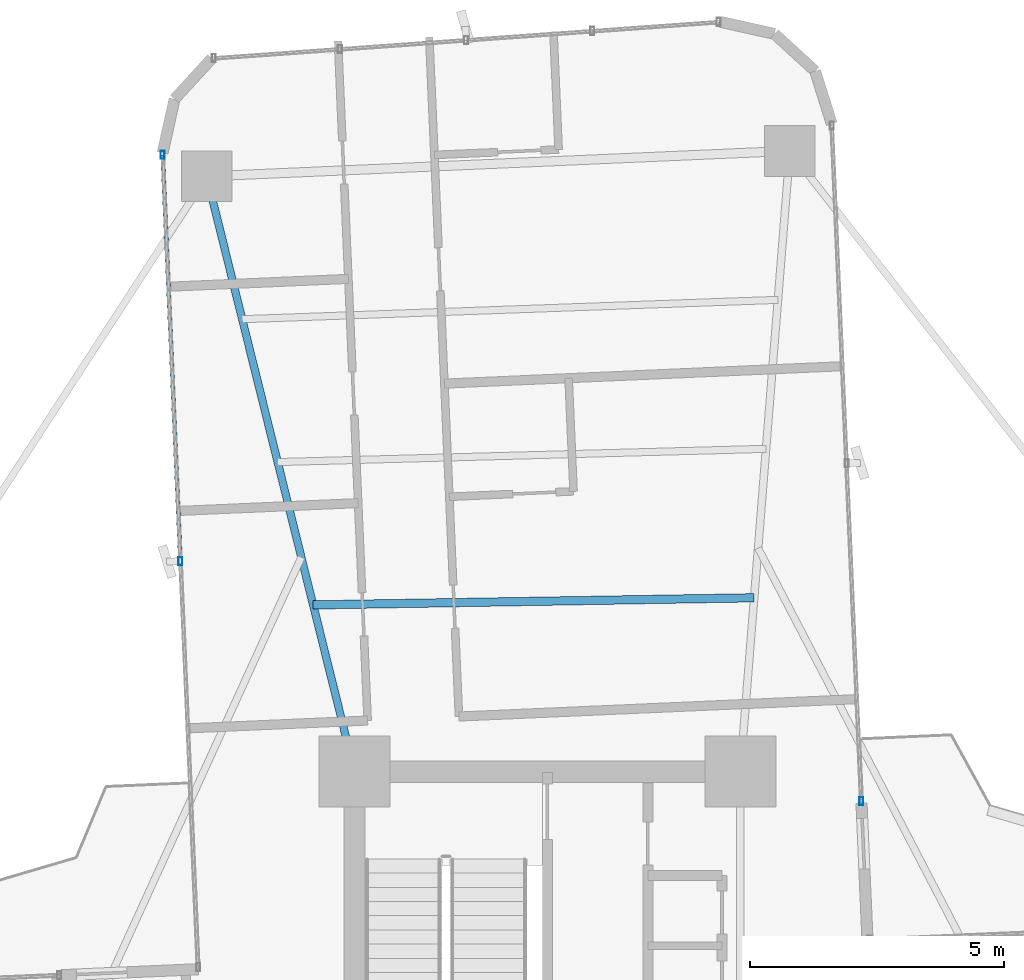
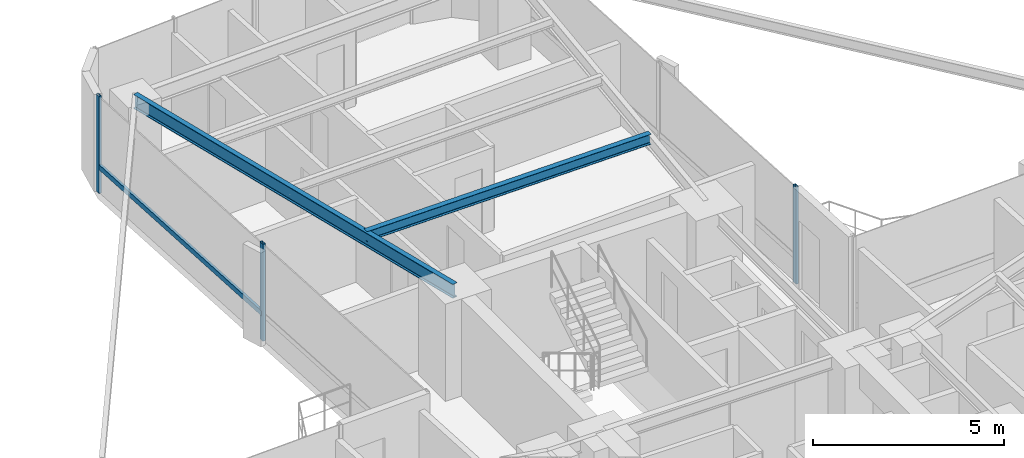
# One storey, part 17 of 26: 4 members, 2 beams, 2 elements without a shape of their own.
"""IFC4 building model written with IfcOpenShell, lengths in metres."""

from ifc_helpers import new_model, si_unit, direction, frame, origin, origin_2d, place, context, subcontext, project, spatial, hollow_rectangle, i_section, extrude, source, transform, mapped, material, material_profile, profile_set, type_object, element, aggregate, save


model = new_model("IFC4")

# Units and contexts
model_context = context("Model", 3, precision=1e-05, world=origin(), true_north=direction((0.0, 1.0)))
body_context = subcontext(model_context, "Body", "Model", "MODEL_VIEW")
ifc_project = project(units=[si_unit("LENGTHUNIT", "METRE"), si_unit("AREAUNIT", "SQUARE_METRE"), si_unit("VOLUMEUNIT", "CUBIC_METRE"), si_unit("PLANEANGLEUNIT", "RADIAN"), si_unit("MASSUNIT", "GRAM", prefix="KILO")], contexts=[model_context])

# Site, building, storey
site_placement = place(None, origin())
site = spatial("IfcSite", under=ifc_project, at=site_placement, CompositionType="ELEMENT")
building_placement = place(site_placement, origin())
building = spatial("IfcBuilding", under=site, at=building_placement, Name="Sahyath Konkavel Grand Hotel", CompositionType="ELEMENT")
storey_placement = place(building_placement, frame((0.0, 0.0, 131.550048828125)))
storey = spatial("IfcBuildingStorey", under=building, at=storey_placement, Name="L36", CompositionType="ELEMENT", Elevation=131.550048828125)

# Beams
ifc_material_1 = material(Name="Steel E350", Category="steel")
ifc_material_profile_1 = material_profile(ifc_material_1, i_section(OverallWidth=0.14990234375, OverallDepth=0.449951171875, WebThickness=0.009521484375, FlangeThickness=0.017333984375, FilletRadius=0.014892578125, at=origin_2d()), Name="ISMB 450")
ifc_profile_set_1 = profile_set([ifc_material_profile_1], Name="Steel E350")
beam_type_1 = type_object("IfcBeamType", Name="BM-ISMB450", PredefinedType="BEAM", material=ifc_profile_set_1)
shared_shape_1 = source(origin(), body_context, "Body", "SweptSolid", [
    extrude(i_section(OverallWidth=0.14990234375, OverallDepth=0.449951171875, WebThickness=0.009521484375, FlangeThickness=0.017333984375, FilletRadius=0.014892578125, at=origin_2d()), origin(), (0.0, 0.0, 1.0), 12.084228515625),
])
beam_1_placement = place(storey_placement, frame((-3.800048828125, 10.199951171875, 2.885009765625), z_axis=(-0.241042688481, 0.970514514229, 0.0), x_axis=(-0.970514514229, -0.241042688481, 0.0)))
element("IfcBeam", 1, at=beam_1_placement, inside=storey, type_object=beam_type_1, Name="L36 Cruciform Radial Girder NB", PredefinedType="BEAM", context=body_context, shape_type="MappedRepresentation", body=[
    mapped(shared_shape_1, transform((0.0, 0.0, 0.0), scale=1.0)),
])
ifc_material_profile_2 = material_profile(ifc_material_1, i_section(OverallWidth=0.1650390625, OverallDepth=0.324951171875, WebThickness=0.007080078125, FlangeThickness=0.009765625, FilletRadius=0.014892578125, at=origin_2d()), Name="ISLB 325")
ifc_profile_set_2 = profile_set([ifc_material_profile_2], Name="Steel E350")
beam_type_2 = type_object("IfcBeamType", Name="BM-ISLB325", PredefinedType="BEAM", material=ifc_profile_set_2)
shared_shape_2 = source(origin(), body_context, "Body", "SweptSolid", [
    extrude(i_section(OverallWidth=0.1650390625, OverallDepth=0.324951171875, WebThickness=0.007080078125, FlangeThickness=0.009765625, FilletRadius=0.014892578125, at=origin_2d()), origin(), (0.0, 0.0, 1.0), 8.68994140625),
])
beam_2_placement = place(storey_placement, frame((4.0732421875, 13.624267578125, 2.947509765625), z_axis=(-0.999869506431, -0.016154569283, 0.0), x_axis=(0.016154569283, -0.999869506431, 0.0)))
element("IfcBeam", 2, at=beam_2_placement, inside=storey, type_object=beam_type_2, Name="L36 Secondary Floor Beam N-1", PredefinedType="BEAM", context=body_context, shape_type="MappedRepresentation", body=[
    mapped(shared_shape_2, transform((0.0, 0.0, 0.0), scale=1.0)),
])

# Curtain wall, member
ifc_material_2 = material(Name="Anodised Bronze Aluminium & Low-E Glazing", Category="aluminium")
curtain_wall_type = type_object("IfcCurtainWallType", Name="CW-ZONE2", PredefinedType="NOTDEFINED", material=ifc_material_2)
curtain_wall_1_placement = place(storey_placement, origin())
curtain_wall_1 = element("IfcCurtainWall", 3, at=curtain_wall_1_placement, inside=storey, type_object=curtain_wall_type, Name="L36 Unitised Curtain Wall F8", PredefinedType="NOTDEFINED")
ifc_material_3 = material(Name="Anodised Bronze Aluminium", Category="aluminium")
ifc_material_profile_3 = material_profile(ifc_material_3, hollow_rectangle(XDim=0.080078125, YDim=0.159912109375, WallThickness=0.006103515625, at=origin_2d()), Name="RHS 160x80x6")
ifc_profile_set_3 = profile_set([ifc_material_profile_3], Name="Anodised Bronze Aluminium")
member_type_1 = type_object("IfcMemberType", Name="CW-MUL-160", PredefinedType="MULLION", material=ifc_profile_set_3)
shared_shape_3 = source(origin(), body_context, "Body", "SweptSolid", [
    extrude(hollow_rectangle(XDim=0.080078125, YDim=0.159912109375, WallThickness=0.006103515625, at=origin_2d()), origin(), (0.0, 0.0, 1.0), 3.10986328125),
])
member_1_placement = place(storey_placement, frame((6.186279296875, 9.618896484375, 0.0), z_axis=(0.0, 0.0, 1.0), x_axis=(1.0, 0.0, 0.0)))
member_1 = element("IfcMember", 4, at=member_1_placement, type_object=member_type_1, Name="L36 Curtain Wall Mullion F8-0", PredefinedType="MULLION", context=body_context, shape_type="MappedRepresentation", body=[
    mapped(shared_shape_3, transform((0.0, 0.0, 0.0), scale=1.0)),
])
aggregate(curtain_wall_1, [member_1])

# Curtain wall, members
curtain_wall_2_placement = place(storey_placement, origin())
curtain_wall_2 = element("IfcCurtainWall", 5, at=curtain_wall_2_placement, inside=storey, type_object=curtain_wall_type, Name="L36 Unitised Curtain Wall F15", PredefinedType="NOTDEFINED")
member_2_placement = place(storey_placement, frame((-7.582275390625, 22.3505859375, 0.0), z_axis=(0.0, 0.0, 1.0), x_axis=(1.0, 0.0, 0.0)))
member_2 = element("IfcMember", 6, at=member_2_placement, type_object=member_type_1, Name="L36 Curtain Wall Mullion F15-0", PredefinedType="MULLION", context=body_context, shape_type="MappedRepresentation", body=[
    mapped(shared_shape_3, transform((0.0, 0.0, 0.0), scale=1.0)),
])
member_3_placement = place(storey_placement, frame((-7.232666015625, 14.34814453125, 0.0), z_axis=(0.0, 0.0, 1.0), x_axis=(1.0, 0.0, 0.0)))
member_3 = element("IfcMember", 7, at=member_3_placement, type_object=member_type_1, Name="L36 Curtain Wall Mullion F15-1", PredefinedType="MULLION", context=body_context, shape_type="MappedRepresentation", body=[
    mapped(shared_shape_3, transform((0.0, 0.0, 0.0), scale=1.0)),
])
ifc_material_profile_4 = material_profile(ifc_material_3, hollow_rectangle(XDim=0.080078125, YDim=0.159912109375, WallThickness=0.006103515625, at=origin_2d()), Name="RHS 160x80x6")
ifc_profile_set_4 = profile_set([ifc_material_profile_4], Name="Anodised Bronze Aluminium")
member_type_2 = type_object("IfcMemberType", Name="CW-TRN-160", PredefinedType="USERDEFINED", material=ifc_profile_set_4)
shared_shape_4 = source(origin(), body_context, "Body", "SweptSolid", [
    extrude(hollow_rectangle(XDim=0.080078125, YDim=0.159912109375, WallThickness=0.006103515625, at=origin_2d()), origin(), (0.0, 0.0, 1.0), 8.010009765625),
])
member_4_placement = place(storey_placement, frame((-7.582275390625, 22.3505859375, 0.849853515625), z_axis=(0.043646207089, -0.999047050247, 0.0), x_axis=(0.999047050247, 0.043646207089, 0.0)))
member_4 = element("IfcMember", 8, at=member_4_placement, type_object=member_type_2, Name="L36 Curtain Wall Transom F15-0-spandrel", ObjectType="TRANSOM", PredefinedType="USERDEFINED", context=body_context, shape_type="MappedRepresentation", body=[
    mapped(shared_shape_4, transform((0.0, 0.0, 0.0), scale=1.0)),
])
aggregate(curtain_wall_2, [member_2, member_3, member_4])

save(model, "model.ifc")
